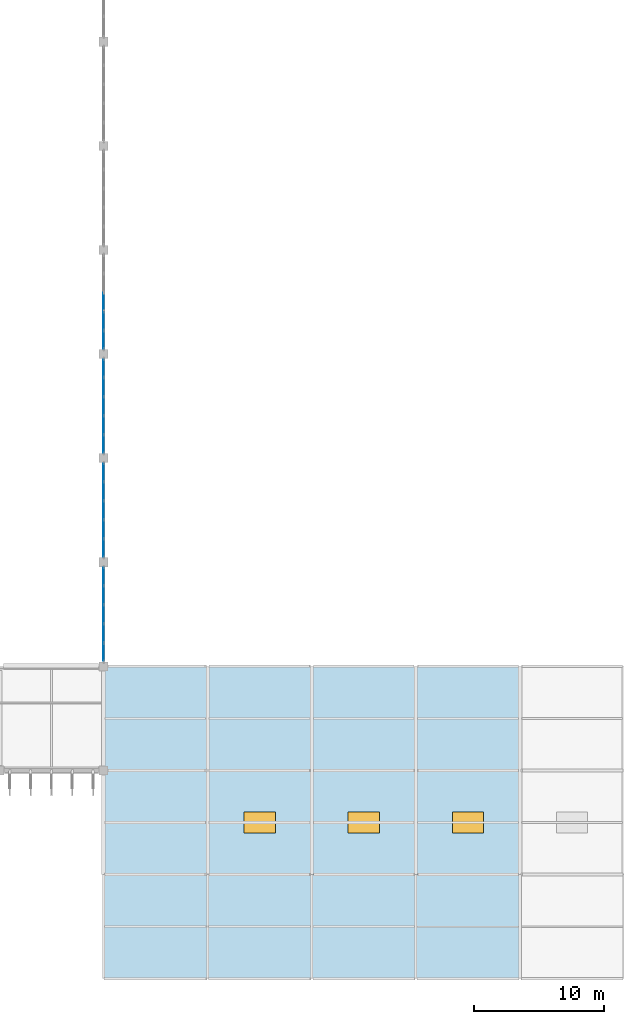
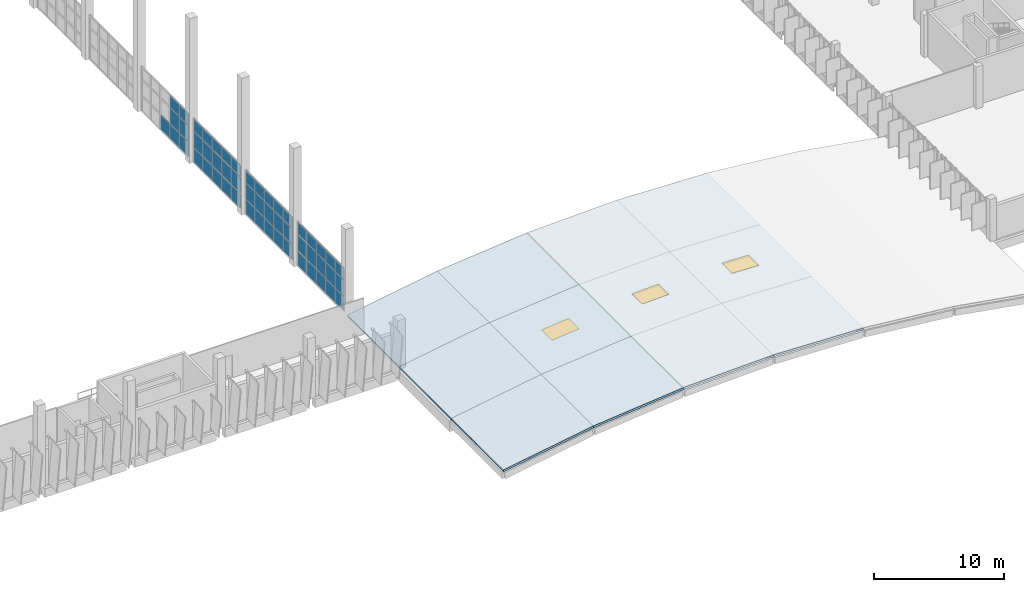
# One storey, part 37 of 66: 52 plates, 12 slabs, 3 windows, 3 openings, 4 elements without a shape of their own.
"""IFC4 building model written with IfcOpenShell, lengths in metres."""

import ifcopenshell
import ifcopenshell.guid

model = None  # the IFC model being written
_history = None  # IfcOwnerHistory: only IFC2X3 demands one
_inside = {}  # id of a spatial element -> (the spatial element, [elements in it])
_under = {}  # id of a project, library or spatial element -> (it, [spatial elements below it])
_declared = {}  # id of a project -> (the project, [libraries it declares])
_typed = {}  # id of a type object -> (the type object, [elements of that type])
_made_of = {}  # id of a material, layer set ... -> (it, [elements and type objects made of it])


def new_model(schema):
    """Start an empty IFC model of exactly this schema.

    Asked for "IFC4X3", IfcOpenShell would pick the latest addendum, in which some entities
    have other attributes; the version numbers below select the first issue.
    IFC2X3 requires an IfcOwnerHistory on every rooted entity: one is made here for all.
    """
    global model, _history
    if schema == "IFC4X3":
        model = ifcopenshell.file(schema_version=(4, 3, 0, 0))
    else:
        model = ifcopenshell.file(schema=schema)
    _inside.clear()
    _under.clear()
    _declared.clear()
    _typed.clear()
    _made_of.clear()
    _history = None
    if model.schema == "IFC2X3":
        org = make("IfcOrganization", Name="unknown")
        user = make(
            "IfcPersonAndOrganization",
            ThePerson=make("IfcPerson", FamilyName="unknown"),
            TheOrganization=org,
        )
        app = make(
            "IfcApplication",
            ApplicationDeveloper=org,
            Version="unknown",
            ApplicationFullName="unknown",
            ApplicationIdentifier="unknown",
        )
        _history = make(
            "IfcOwnerHistory",
            OwningUser=user,
            OwningApplication=app,
            ChangeAction="ADDED",
            CreationDate=0,
        )
    return model


def make(cls, **values):
    """One entity of the class cls with the attributes given. An attribute that is None is left unset."""
    return model.create_entity(
        cls, **{name: value for name, value in values.items() if value is not None}
    )


def rooted(cls, **values):
    """An entity with a GlobalId (a new one), such as an element, a storey or a relation."""
    return make(cls, GlobalId=ifcopenshell.guid.new(), OwnerHistory=_history, **values)


def si_unit(unit_type, name, prefix=None):
    """IfcSIUnit, for example si_unit("LENGTHUNIT", "METRE", prefix="MILLI")."""
    return make("IfcSIUnit", UnitType=unit_type, Prefix=prefix, Name=name)


def assignment(units):
    """IfcUnitAssignment: the units of a project."""
    return None if units is None else make("IfcUnitAssignment", Units=units)


def point(xyz):
    """IfcCartesianPoint."""
    return None if xyz is None else make("IfcCartesianPoint", Coordinates=xyz)


def direction(xyz):
    """IfcDirection."""
    return None if xyz is None else make("IfcDirection", DirectionRatios=xyz)


def frame(location, z_axis=None, x_axis=None):
    """IfcAxis2Placement3D, a coordinate frame: its origin and axes. An axis left out is left unset."""
    return make(
        "IfcAxis2Placement3D",
        Location=point(location),
        Axis=direction(z_axis),
        RefDirection=direction(x_axis),
    )


def frame_2d(location, x_axis=None):
    """IfcAxis2Placement2D, a coordinate frame in the plane: its origin and x axis."""
    return make(
        "IfcAxis2Placement2D", Location=point(location), RefDirection=direction(x_axis)
    )


def origin():
    """The frame at (0, 0, 0) with its axes left unset."""
    return frame((0.0, 0.0, 0.0))


def origin_2d():
    """The frame at (0, 0) in the plane with its x axis left unset."""
    return frame_2d((0.0, 0.0))


def place(relative_to, where):
    """IfcLocalPlacement: puts the frame where relative to a parent placement (None: the world)."""
    return make(
        "IfcLocalPlacement", PlacementRelTo=relative_to, RelativePlacement=where
    )


def context(
    kind, dimensions, precision=None, world=None, true_north=None, identifier=None
):
    """IfcGeometricRepresentationContext, for example the 3D "Model" context."""
    return make(
        "IfcGeometricRepresentationContext",
        ContextIdentifier=identifier,
        ContextType=kind,
        CoordinateSpaceDimension=dimensions,
        Precision=precision,
        WorldCoordinateSystem=world,
        TrueNorth=true_north,
    )


def subcontext(parent, identifier, kind, view, scale=None):
    """IfcGeometricRepresentationSubContext, for example "Body" below "Model"."""
    return make(
        "IfcGeometricRepresentationSubContext",
        ContextIdentifier=identifier,
        ContextType=kind,
        ParentContext=parent,
        TargetScale=scale,
        TargetView=view,
    )


def project(units=None, contexts=None):
    """IfcProject with its units and contexts."""
    return rooted(
        "IfcProject",
        Name="project",
        RepresentationContexts=contexts,
        UnitsInContext=assignment(units),
    )


def spatial(cls, under=None, at=None, **own):
    """A site, building, storey or space (cls), placed at a placement, below another one or the project."""
    s = rooted(cls, ObjectPlacement=at, **own)
    if under is not None:
        _under.setdefault(under.id(), (under, []))[1].append(s)
    return s


def polyline(points):
    """IfcPolyline through the points."""
    return make("IfcPolyline", Points=[point(p) for p in points])


def profile(cls, at=None, kind="AREA", **sizes):
    """A parametric profile (cls). Its sizes go by their IFC names, for example OverallWidth=200.0."""
    return make(cls, ProfileType=kind, Position=at, **sizes)


def rectangle(**sizes):
    """IfcRectangleProfileDef."""
    return profile("IfcRectangleProfileDef", **sizes)


def outline(outer, holes=None, kind="AREA"):
    """IfcArbitraryClosedProfileDef: a profile drawn as a closed curve; with holes, ...WithVoids."""
    if holes is None:
        return make("IfcArbitraryClosedProfileDef", ProfileType=kind, OuterCurve=outer)
    return make(
        "IfcArbitraryProfileDefWithVoids",
        ProfileType=kind,
        OuterCurve=outer,
        InnerCurves=holes,
    )


def extrude(swept, where, along, depth):
    """IfcExtrudedAreaSolid: the profile swept, set in the frame where, extruded along a direction by depth."""
    return make(
        "IfcExtrudedAreaSolid",
        SweptArea=swept,
        Position=where,
        ExtrudedDirection=direction(along),
        Depth=depth,
    )


def shape(context_of_items, identifier, shape_type, items):
    """IfcShapeRepresentation: the items that make up one representation, for example the "Body"."""
    return make(
        "IfcShapeRepresentation",
        ContextOfItems=context_of_items,
        RepresentationIdentifier=identifier,
        RepresentationType=shape_type,
        Items=items,
    )


def material(Name=None, Category=None):
    """IfcMaterial."""
    return make("IfcMaterial", Name=Name, Category=Category)


def layer(
    of_material, thickness, ventilated=None, Name=None, Category=None, Priority=None
):
    """IfcMaterialLayer: one layer of a wall or slab, of a material (None: an air gap)."""
    return make(
        "IfcMaterialLayer",
        Material=of_material,
        LayerThickness=thickness,
        IsVentilated=ventilated,
        Name=Name,
        Category=Category,
        Priority=Priority,
    )


def layer_set(layers, Name=None):
    """IfcMaterialLayerSet."""
    return make("IfcMaterialLayerSet", MaterialLayers=layers, LayerSetName=Name)


def made_of(thing, what):
    """Note that an element or type object is made of a material, layer set ...; save() writes the relation."""
    if what is not None:
        _made_of.setdefault(what.id(), (what, []))[1].append(thing)
    return thing


def type_object(cls, material=None, **own):
    """A type object (cls), such as IfcWallType, which elements share."""
    return made_of(rooted(cls, **own), material)


def element(
    cls,
    number,
    at=None,
    inside=None,
    cuts=None,
    type_object=None,
    material=None,
    context=None,
    identifier="Body",
    shape_type=None,
    held_by="IfcProductDefinitionShape",
    body=None,
    shapes=None,
    **own,
):
    """One element of the class cls, such as IfcWall. Its Tag is "e" and its number.

    at: its placement. inside: the storey or other place that contains it. cuts: it is an
    opening in that element (IfcRelVoidsElement). A single representation is given by context,
    identifier, shape_type and body (its items); several are given by shapes. held_by: the class
    of the entity that holds the representations. save() writes the other relations.
    """
    e = rooted(cls, Tag="e%d" % number, ObjectPlacement=at, **own)
    if body is not None:
        shapes = [shape(context, identifier, shape_type, body)]
    if shapes is not None:
        e.Representation = make(held_by, Representations=shapes)
    if inside is not None:
        _inside.setdefault(inside.id(), (inside, []))[1].append(e)
    if cuts is not None:
        rooted(
            "IfcRelVoidsElement", RelatingBuildingElement=cuts, RelatedOpeningElement=e
        )
    if type_object is not None:
        _typed.setdefault(type_object.id(), (type_object, []))[1].append(e)
    return made_of(e, material)


def fill(opening, filler):
    """IfcRelFillsElement: the door or window that sits in an opening."""
    return rooted(
        "IfcRelFillsElement",
        RelatingOpeningElement=opening,
        RelatedBuildingElement=filler,
    )


def aggregate(whole, parts):
    """IfcRelAggregates: a whole, such as a stair, and the parts it consists of."""
    return rooted("IfcRelAggregates", RelatingObject=whole, RelatedObjects=parts)


def save(model, path):
    """Write the relations noted so far, then the file.

    IfcRelAggregates (storeys below a building ...), IfcRelContainedInSpatialStructure (elements
    in a storey), IfcRelDefinesByType, IfcRelAssociatesMaterial and IfcRelDeclares: one each for
    every whole, place, type object, material and project.
    """
    for whole, parts in _under.values():
        aggregate(whole, parts)
    for where, things in _inside.values():
        rooted(
            "IfcRelContainedInSpatialStructure",
            RelatedElements=things,
            RelatingStructure=where,
        )
    for kind, things in _typed.values():
        rooted("IfcRelDefinesByType", RelatedObjects=things, RelatingType=kind)
    for what, things in _made_of.values():
        rooted("IfcRelAssociatesMaterial", RelatedObjects=things, RelatingMaterial=what)
    for by, libraries in _declared.values():
        rooted("IfcRelDeclares", RelatingContext=by, RelatedDefinitions=libraries)
    model.write(path)


model = new_model("IFC4")

# Units and contexts
model_context = context("Model", 3, precision=1e-05, world=origin(), true_north=direction((0.0, 1.0)))
body_context = subcontext(model_context, "Body", "Model", "MODEL_VIEW")
ifc_project = project(units=[si_unit("LENGTHUNIT", "METRE"), si_unit("AREAUNIT", "SQUARE_METRE"), si_unit("VOLUMEUNIT", "CUBIC_METRE"), si_unit("PLANEANGLEUNIT", "RADIAN"), si_unit("MASSUNIT", "GRAM", prefix="KILO")], contexts=[model_context])

# Site, building, storey
site_placement = place(None, origin())
site = spatial("IfcSite", under=ifc_project, at=site_placement, CompositionType="ELEMENT")
building_placement = place(site_placement, origin())
building = spatial("IfcBuilding", under=site, at=building_placement, Name="Drelvana Railside Aquatics Centre", CompositionType="ELEMENT")
storey_placement = place(building_placement, frame((0.0, 0.0, 10.199951171875)))
storey = spatial("IfcBuildingStorey", under=building, at=storey_placement, Name="L02", CompositionType="ELEMENT", Elevation=10.199951171875)

# Curtain wall, plates
ifc_material_1 = material(Name="Bronze-anodised aluminium curtain wall", Category="aluminium")
ifc_layer_1 = layer(ifc_material_1, 0.219970703125, Name="Bronze-anodised aluminium curtain wall")
ifc_layer_set_1 = layer_set([ifc_layer_1], Name="Bronze-anodised aluminium curtain wall")
curtain_wall_type = type_object("IfcCurtainWallType", Name="CW-Z3-HIGH", PredefinedType="NOTDEFINED", material=ifc_layer_set_1)
curtain_wall_1_placement = place(storey_placement, origin())
curtain_wall_1 = element("IfcCurtainWall", 1, at=curtain_wall_1_placement, inside=storey, type_object=curtain_wall_type, Name="Curtain wall CW-03-057", PredefinedType="NOTDEFINED")
ifc_material_2 = material(Name="Double-glazed low-e solar-control glass", Category="glass")
ifc_layer_2 = layer(ifc_material_2, 0.035888671875, Name="Double-glazed low-e solar-control glass")
ifc_layer_set_2 = layer_set([ifc_layer_2], Name="Double-glazed low-e solar-control glass")
plate_type = type_object("IfcPlateType", Name="CW-Z3-HIGH-PAN", PredefinedType="CURTAIN_PANEL", material=ifc_layer_set_2)
plate_1_placement = place(storey_placement, frame((96.0, 25.09521484375, 0.06396484375), z_axis=(0.0, 0.0, 1.0), x_axis=(0.0, 1.0, 0.0)))
plate_1 = element("IfcPlate", 2, at=plate_1_placement, type_object=plate_type, Name="CW-03 panel 1.1", PredefinedType="CURTAIN_PANEL", context=body_context, shape_type="SweptSolid", body=[
    extrude(rectangle(XDim=1.352294921875, YDim=0.035888671875, at=origin_2d()), origin(), (0.0, 0.0, 1.0), 1.366455078125),
])
plate_2_placement = place(storey_placement, frame((96.0, 25.09521484375, 1.49560546875), z_axis=(0.0, 0.0, 1.0), x_axis=(0.0, 1.0, 0.0)))
plate_2 = element("IfcPlate", 3, at=plate_2_placement, type_object=plate_type, Name="CW-03 panel 1.2", PredefinedType="CURTAIN_PANEL", context=body_context, shape_type="SweptSolid", body=[
    extrude(rectangle(XDim=1.352294921875, YDim=0.035888671875, at=origin_2d()), origin(), (0.0, 0.0, 1.0), 1.487060546875),
])
plate_3_placement = place(storey_placement, frame((96.0, 25.09521484375, 3.04736328125), z_axis=(0.0, 0.0, 1.0), x_axis=(0.0, 1.0, 0.0)))
plate_3 = element("IfcPlate", 4, at=plate_3_placement, type_object=plate_type, Name="CW-03 panel 1.3", PredefinedType="CURTAIN_PANEL", context=body_context, shape_type="SweptSolid", body=[
    extrude(rectangle(XDim=1.352294921875, YDim=0.035888671875, at=origin_2d()), origin(), (0.0, 0.0, 1.0), 1.072509765625),
])
plate_4_placement = place(storey_placement, frame((96.0, 26.53759765625, 0.06396484375), z_axis=(0.0, 0.0, 1.0), x_axis=(0.0, 1.0, 0.0)))
plate_4 = element("IfcPlate", 5, at=plate_4_placement, type_object=plate_type, Name="CW-03 panel 2.1", PredefinedType="CURTAIN_PANEL", context=body_context, shape_type="SweptSolid", body=[
    extrude(rectangle(XDim=1.392333984375, YDim=0.035888671875, at=origin_2d()), origin(), (0.0, 0.0, 1.0), 1.366455078125),
])
plate_5_placement = place(storey_placement, frame((96.0, 26.53759765625, 1.49560546875), z_axis=(0.0, 0.0, 1.0), x_axis=(0.0, 1.0, 0.0)))
plate_5 = element("IfcPlate", 6, at=plate_5_placement, type_object=plate_type, Name="CW-03 panel 2.2", PredefinedType="CURTAIN_PANEL", context=body_context, shape_type="SweptSolid", body=[
    extrude(rectangle(XDim=1.392333984375, YDim=0.035888671875, at=origin_2d()), origin(), (0.0, 0.0, 1.0), 1.487060546875),
])
plate_6_placement = place(storey_placement, frame((96.0, 26.53759765625, 3.04736328125), z_axis=(0.0, 0.0, 1.0), x_axis=(0.0, 1.0, 0.0)))
plate_6 = element("IfcPlate", 7, at=plate_6_placement, type_object=plate_type, Name="CW-03 panel 2.3", PredefinedType="CURTAIN_PANEL", context=body_context, shape_type="SweptSolid", body=[
    extrude(rectangle(XDim=1.392333984375, YDim=0.035888671875, at=origin_2d()), origin(), (0.0, 0.0, 1.0), 1.072509765625),
])
plate_7_placement = place(storey_placement, frame((96.0, 28.0, 0.06396484375), z_axis=(0.0, 0.0, 1.0), x_axis=(0.0, 1.0, 0.0)))
plate_7 = element("IfcPlate", 8, at=plate_7_placement, type_object=plate_type, Name="CW-03 panel 3.1", PredefinedType="CURTAIN_PANEL", context=body_context, shape_type="SweptSolid", body=[
    extrude(rectangle(XDim=1.392333984375, YDim=0.035888671875, at=origin_2d()), origin(), (0.0, 0.0, 1.0), 1.366455078125),
])
plate_8_placement = place(storey_placement, frame((96.0, 28.0, 1.49560546875), z_axis=(0.0, 0.0, 1.0), x_axis=(0.0, 1.0, 0.0)))
plate_8 = element("IfcPlate", 9, at=plate_8_placement, type_object=plate_type, Name="CW-03 panel 3.2", PredefinedType="CURTAIN_PANEL", context=body_context, shape_type="SweptSolid", body=[
    extrude(rectangle(XDim=1.392333984375, YDim=0.035888671875, at=origin_2d()), origin(), (0.0, 0.0, 1.0), 1.487060546875),
])
plate_9_placement = place(storey_placement, frame((96.0, 28.0, 3.04736328125), z_axis=(0.0, 0.0, 1.0), x_axis=(0.0, 1.0, 0.0)))
plate_9 = element("IfcPlate", 10, at=plate_9_placement, type_object=plate_type, Name="CW-03 panel 3.3", PredefinedType="CURTAIN_PANEL", context=body_context, shape_type="SweptSolid", body=[
    extrude(rectangle(XDim=1.392333984375, YDim=0.035888671875, at=origin_2d()), origin(), (0.0, 0.0, 1.0), 1.072509765625),
])
plate_10_placement = place(storey_placement, frame((96.0, 29.46240234375, 0.06396484375), z_axis=(0.0, 0.0, 1.0), x_axis=(0.0, 1.0, 0.0)))
plate_10 = element("IfcPlate", 11, at=plate_10_placement, type_object=plate_type, Name="CW-03 panel 4.1", PredefinedType="CURTAIN_PANEL", context=body_context, shape_type="SweptSolid", body=[
    extrude(rectangle(XDim=1.392333984375, YDim=0.035888671875, at=origin_2d()), origin(), (0.0, 0.0, 1.0), 1.366455078125),
])
plate_11_placement = place(storey_placement, frame((96.0, 29.46240234375, 1.49560546875), z_axis=(0.0, 0.0, 1.0), x_axis=(0.0, 1.0, 0.0)))
plate_11 = element("IfcPlate", 12, at=plate_11_placement, type_object=plate_type, Name="CW-03 panel 4.2", PredefinedType="CURTAIN_PANEL", context=body_context, shape_type="SweptSolid", body=[
    extrude(rectangle(XDim=1.392333984375, YDim=0.035888671875, at=origin_2d()), origin(), (0.0, 0.0, 1.0), 1.487060546875),
])
plate_12_placement = place(storey_placement, frame((96.0, 29.46240234375, 3.04736328125), z_axis=(0.0, 0.0, 1.0), x_axis=(0.0, 1.0, 0.0)))
plate_12 = element("IfcPlate", 13, at=plate_12_placement, type_object=plate_type, Name="CW-03 panel 4.3", PredefinedType="CURTAIN_PANEL", context=body_context, shape_type="SweptSolid", body=[
    extrude(rectangle(XDim=1.392333984375, YDim=0.035888671875, at=origin_2d()), origin(), (0.0, 0.0, 1.0), 1.072509765625),
])
plate_13_placement = place(storey_placement, frame((96.0, 30.90478515625, 0.06396484375), z_axis=(0.0, 0.0, 1.0), x_axis=(0.0, 1.0, 0.0)))
plate_13 = element("IfcPlate", 14, at=plate_13_placement, type_object=plate_type, Name="CW-03 panel 5.1", PredefinedType="CURTAIN_PANEL", context=body_context, shape_type="SweptSolid", body=[
    extrude(rectangle(XDim=1.352294921875, YDim=0.035888671875, at=origin_2d()), origin(), (0.0, 0.0, 1.0), 1.366455078125),
])
plate_14_placement = place(storey_placement, frame((96.0, 30.90478515625, 1.49560546875), z_axis=(0.0, 0.0, 1.0), x_axis=(0.0, 1.0, 0.0)))
plate_14 = element("IfcPlate", 15, at=plate_14_placement, type_object=plate_type, Name="CW-03 panel 5.2", PredefinedType="CURTAIN_PANEL", context=body_context, shape_type="SweptSolid", body=[
    extrude(rectangle(XDim=1.352294921875, YDim=0.035888671875, at=origin_2d()), origin(), (0.0, 0.0, 1.0), 1.487060546875),
])
plate_15_placement = place(storey_placement, frame((96.0, 30.90478515625, 3.04736328125), z_axis=(0.0, 0.0, 1.0), x_axis=(0.0, 1.0, 0.0)))
plate_15 = element("IfcPlate", 16, at=plate_15_placement, type_object=plate_type, Name="CW-03 panel 5.3", PredefinedType="CURTAIN_PANEL", context=body_context, shape_type="SweptSolid", body=[
    extrude(rectangle(XDim=1.352294921875, YDim=0.035888671875, at=origin_2d()), origin(), (0.0, 0.0, 1.0), 1.072509765625),
])
aggregate(curtain_wall_1, [plate_1, plate_2, plate_3, plate_4, plate_5, plate_6, plate_7, plate_8, plate_9, plate_10, plate_11, plate_12, plate_13, plate_14, plate_15])

curtain_wall_2_placement = place(storey_placement, origin())
curtain_wall_2 = element("IfcCurtainWall", 17, at=curtain_wall_2_placement, inside=storey, type_object=curtain_wall_type, Name="Curtain wall CW-03-061", PredefinedType="NOTDEFINED")
plate_16_placement = place(storey_placement, frame((96.0, 33.09521484375, 0.06396484375), z_axis=(0.0, 0.0, 1.0), x_axis=(0.0, 1.0, 0.0)))
plate_16 = element("IfcPlate", 18, at=plate_16_placement, type_object=plate_type, Name="CW-03 panel 1.1", PredefinedType="CURTAIN_PANEL", context=body_context, shape_type="SweptSolid", body=[
    extrude(rectangle(XDim=1.352294921875, YDim=0.035888671875, at=origin_2d()), origin(), (0.0, 0.0, 1.0), 1.366455078125),
])
plate_17_placement = place(storey_placement, frame((96.0, 33.09521484375, 1.49560546875), z_axis=(0.0, 0.0, 1.0), x_axis=(0.0, 1.0, 0.0)))
plate_17 = element("IfcPlate", 19, at=plate_17_placement, type_object=plate_type, Name="CW-03 panel 1.2", PredefinedType="CURTAIN_PANEL", context=body_context, shape_type="SweptSolid", body=[
    extrude(rectangle(XDim=1.352294921875, YDim=0.035888671875, at=origin_2d()), origin(), (0.0, 0.0, 1.0), 1.487060546875),
])
plate_18_placement = place(storey_placement, frame((96.0, 33.09521484375, 3.04736328125), z_axis=(0.0, 0.0, 1.0), x_axis=(0.0, 1.0, 0.0)))
plate_18 = element("IfcPlate", 20, at=plate_18_placement, type_object=plate_type, Name="CW-03 panel 1.3", PredefinedType="CURTAIN_PANEL", context=body_context, shape_type="SweptSolid", body=[
    extrude(rectangle(XDim=1.352294921875, YDim=0.035888671875, at=origin_2d()), origin(), (0.0, 0.0, 1.0), 1.072509765625),
])
plate_19_placement = place(storey_placement, frame((96.0, 34.53759765625, 0.06396484375), z_axis=(0.0, 0.0, 1.0), x_axis=(0.0, 1.0, 0.0)))
plate_19 = element("IfcPlate", 21, at=plate_19_placement, type_object=plate_type, Name="CW-03 panel 2.1", PredefinedType="CURTAIN_PANEL", context=body_context, shape_type="SweptSolid", body=[
    extrude(rectangle(XDim=1.392333984375, YDim=0.035888671875, at=origin_2d()), origin(), (0.0, 0.0, 1.0), 1.366455078125),
])
plate_20_placement = place(storey_placement, frame((96.0, 34.53759765625, 1.49560546875), z_axis=(0.0, 0.0, 1.0), x_axis=(0.0, 1.0, 0.0)))
plate_20 = element("IfcPlate", 22, at=plate_20_placement, type_object=plate_type, Name="CW-03 panel 2.2", PredefinedType="CURTAIN_PANEL", context=body_context, shape_type="SweptSolid", body=[
    extrude(rectangle(XDim=1.392333984375, YDim=0.035888671875, at=origin_2d()), origin(), (0.0, 0.0, 1.0), 1.487060546875),
])
plate_21_placement = place(storey_placement, frame((96.0, 34.53759765625, 3.04736328125), z_axis=(0.0, 0.0, 1.0), x_axis=(0.0, 1.0, 0.0)))
plate_21 = element("IfcPlate", 23, at=plate_21_placement, type_object=plate_type, Name="CW-03 panel 2.3", PredefinedType="CURTAIN_PANEL", context=body_context, shape_type="SweptSolid", body=[
    extrude(rectangle(XDim=1.392333984375, YDim=0.035888671875, at=origin_2d()), origin(), (0.0, 0.0, 1.0), 1.072509765625),
])
plate_22_placement = place(storey_placement, frame((96.0, 36.0, 0.06396484375), z_axis=(0.0, 0.0, 1.0), x_axis=(0.0, 1.0, 0.0)))
plate_22 = element("IfcPlate", 24, at=plate_22_placement, type_object=plate_type, Name="CW-03 panel 3.1", PredefinedType="CURTAIN_PANEL", context=body_context, shape_type="SweptSolid", body=[
    extrude(rectangle(XDim=1.392333984375, YDim=0.035888671875, at=origin_2d()), origin(), (0.0, 0.0, 1.0), 1.366455078125),
])
plate_23_placement = place(storey_placement, frame((96.0, 36.0, 1.49560546875), z_axis=(0.0, 0.0, 1.0), x_axis=(0.0, 1.0, 0.0)))
plate_23 = element("IfcPlate", 25, at=plate_23_placement, type_object=plate_type, Name="CW-03 panel 3.2", PredefinedType="CURTAIN_PANEL", context=body_context, shape_type="SweptSolid", body=[
    extrude(rectangle(XDim=1.392333984375, YDim=0.035888671875, at=origin_2d()), origin(), (0.0, 0.0, 1.0), 1.487060546875),
])
plate_24_placement = place(storey_placement, frame((96.0, 36.0, 3.04736328125), z_axis=(0.0, 0.0, 1.0), x_axis=(0.0, 1.0, 0.0)))
plate_24 = element("IfcPlate", 26, at=plate_24_placement, type_object=plate_type, Name="CW-03 panel 3.3", PredefinedType="CURTAIN_PANEL", context=body_context, shape_type="SweptSolid", body=[
    extrude(rectangle(XDim=1.392333984375, YDim=0.035888671875, at=origin_2d()), origin(), (0.0, 0.0, 1.0), 1.072509765625),
])
plate_25_placement = place(storey_placement, frame((96.0, 37.46240234375, 0.06396484375), z_axis=(0.0, 0.0, 1.0), x_axis=(0.0, 1.0, 0.0)))
plate_25 = element("IfcPlate", 27, at=plate_25_placement, type_object=plate_type, Name="CW-03 panel 4.1", PredefinedType="CURTAIN_PANEL", context=body_context, shape_type="SweptSolid", body=[
    extrude(rectangle(XDim=1.392333984375, YDim=0.035888671875, at=origin_2d()), origin(), (0.0, 0.0, 1.0), 1.366455078125),
])
plate_26_placement = place(storey_placement, frame((96.0, 37.46240234375, 1.49560546875), z_axis=(0.0, 0.0, 1.0), x_axis=(0.0, 1.0, 0.0)))
plate_26 = element("IfcPlate", 28, at=plate_26_placement, type_object=plate_type, Name="CW-03 panel 4.2", PredefinedType="CURTAIN_PANEL", context=body_context, shape_type="SweptSolid", body=[
    extrude(rectangle(XDim=1.392333984375, YDim=0.035888671875, at=origin_2d()), origin(), (0.0, 0.0, 1.0), 1.487060546875),
])
plate_27_placement = place(storey_placement, frame((96.0, 37.46240234375, 3.04736328125), z_axis=(0.0, 0.0, 1.0), x_axis=(0.0, 1.0, 0.0)))
plate_27 = element("IfcPlate", 29, at=plate_27_placement, type_object=plate_type, Name="CW-03 panel 4.3", PredefinedType="CURTAIN_PANEL", context=body_context, shape_type="SweptSolid", body=[
    extrude(rectangle(XDim=1.392333984375, YDim=0.035888671875, at=origin_2d()), origin(), (0.0, 0.0, 1.0), 1.072509765625),
])
plate_28_placement = place(storey_placement, frame((96.0, 38.90478515625, 0.06396484375), z_axis=(0.0, 0.0, 1.0), x_axis=(0.0, 1.0, 0.0)))
plate_28 = element("IfcPlate", 30, at=plate_28_placement, type_object=plate_type, Name="CW-03 panel 5.1", PredefinedType="CURTAIN_PANEL", context=body_context, shape_type="SweptSolid", body=[
    extrude(rectangle(XDim=1.352294921875, YDim=0.035888671875, at=origin_2d()), origin(), (0.0, 0.0, 1.0), 1.366455078125),
])
plate_29_placement = place(storey_placement, frame((96.0, 38.90478515625, 1.49560546875), z_axis=(0.0, 0.0, 1.0), x_axis=(0.0, 1.0, 0.0)))
plate_29 = element("IfcPlate", 31, at=plate_29_placement, type_object=plate_type, Name="CW-03 panel 5.2", PredefinedType="CURTAIN_PANEL", context=body_context, shape_type="SweptSolid", body=[
    extrude(rectangle(XDim=1.352294921875, YDim=0.035888671875, at=origin_2d()), origin(), (0.0, 0.0, 1.0), 1.487060546875),
])
plate_30_placement = place(storey_placement, frame((96.0, 38.90478515625, 3.04736328125), z_axis=(0.0, 0.0, 1.0), x_axis=(0.0, 1.0, 0.0)))
plate_30 = element("IfcPlate", 32, at=plate_30_placement, type_object=plate_type, Name="CW-03 panel 5.3", PredefinedType="CURTAIN_PANEL", context=body_context, shape_type="SweptSolid", body=[
    extrude(rectangle(XDim=1.352294921875, YDim=0.035888671875, at=origin_2d()), origin(), (0.0, 0.0, 1.0), 1.072509765625),
])
aggregate(curtain_wall_2, [plate_16, plate_17, plate_18, plate_19, plate_20, plate_21, plate_22, plate_23, plate_24, plate_25, plate_26, plate_27, plate_28, plate_29, plate_30])

curtain_wall_3_placement = place(storey_placement, origin())
curtain_wall_3 = element("IfcCurtainWall", 33, at=curtain_wall_3_placement, inside=storey, type_object=curtain_wall_type, Name="Curtain wall CW-03-065", PredefinedType="NOTDEFINED")
plate_31_placement = place(storey_placement, frame((96.0, 41.09521484375, 0.06396484375), z_axis=(0.0, 0.0, 1.0), x_axis=(0.0, 1.0, 0.0)))
plate_31 = element("IfcPlate", 34, at=plate_31_placement, type_object=plate_type, Name="CW-03 panel 1.1", PredefinedType="CURTAIN_PANEL", context=body_context, shape_type="SweptSolid", body=[
    extrude(rectangle(XDim=1.352294921875, YDim=0.035888671875, at=origin_2d()), origin(), (0.0, 0.0, 1.0), 1.366455078125),
])
plate_32_placement = place(storey_placement, frame((96.0, 41.09521484375, 1.49560546875), z_axis=(0.0, 0.0, 1.0), x_axis=(0.0, 1.0, 0.0)))
plate_32 = element("IfcPlate", 35, at=plate_32_placement, type_object=plate_type, Name="CW-03 panel 1.2", PredefinedType="CURTAIN_PANEL", context=body_context, shape_type="SweptSolid", body=[
    extrude(rectangle(XDim=1.352294921875, YDim=0.035888671875, at=origin_2d()), origin(), (0.0, 0.0, 1.0), 1.487060546875),
])
plate_33_placement = place(storey_placement, frame((96.0, 41.09521484375, 3.04736328125), z_axis=(0.0, 0.0, 1.0), x_axis=(0.0, 1.0, 0.0)))
plate_33 = element("IfcPlate", 36, at=plate_33_placement, type_object=plate_type, Name="CW-03 panel 1.3", PredefinedType="CURTAIN_PANEL", context=body_context, shape_type="SweptSolid", body=[
    extrude(rectangle(XDim=1.352294921875, YDim=0.035888671875, at=origin_2d()), origin(), (0.0, 0.0, 1.0), 1.072509765625),
])
plate_34_placement = place(storey_placement, frame((96.0, 42.53759765625, 0.06396484375), z_axis=(0.0, 0.0, 1.0), x_axis=(0.0, 1.0, 0.0)))
plate_34 = element("IfcPlate", 37, at=plate_34_placement, type_object=plate_type, Name="CW-03 panel 2.1", PredefinedType="CURTAIN_PANEL", context=body_context, shape_type="SweptSolid", body=[
    extrude(rectangle(XDim=1.392333984375, YDim=0.035888671875, at=origin_2d()), origin(), (0.0, 0.0, 1.0), 1.366455078125),
])
plate_35_placement = place(storey_placement, frame((96.0, 42.53759765625, 1.49560546875), z_axis=(0.0, 0.0, 1.0), x_axis=(0.0, 1.0, 0.0)))
plate_35 = element("IfcPlate", 38, at=plate_35_placement, type_object=plate_type, Name="CW-03 panel 2.2", PredefinedType="CURTAIN_PANEL", context=body_context, shape_type="SweptSolid", body=[
    extrude(rectangle(XDim=1.392333984375, YDim=0.035888671875, at=origin_2d()), origin(), (0.0, 0.0, 1.0), 1.487060546875),
])
plate_36_placement = place(storey_placement, frame((96.0, 42.53759765625, 3.04736328125), z_axis=(0.0, 0.0, 1.0), x_axis=(0.0, 1.0, 0.0)))
plate_36 = element("IfcPlate", 39, at=plate_36_placement, type_object=plate_type, Name="CW-03 panel 2.3", PredefinedType="CURTAIN_PANEL", context=body_context, shape_type="SweptSolid", body=[
    extrude(rectangle(XDim=1.392333984375, YDim=0.035888671875, at=origin_2d()), origin(), (0.0, 0.0, 1.0), 1.072509765625),
])
plate_37_placement = place(storey_placement, frame((96.0, 44.0, 0.06396484375), z_axis=(0.0, 0.0, 1.0), x_axis=(0.0, 1.0, 0.0)))
plate_37 = element("IfcPlate", 40, at=plate_37_placement, type_object=plate_type, Name="CW-03 panel 3.1", PredefinedType="CURTAIN_PANEL", context=body_context, shape_type="SweptSolid", body=[
    extrude(rectangle(XDim=1.392333984375, YDim=0.035888671875, at=origin_2d()), origin(), (0.0, 0.0, 1.0), 1.366455078125),
])
plate_38_placement = place(storey_placement, frame((96.0, 44.0, 1.49560546875), z_axis=(0.0, 0.0, 1.0), x_axis=(0.0, 1.0, 0.0)))
plate_38 = element("IfcPlate", 41, at=plate_38_placement, type_object=plate_type, Name="CW-03 panel 3.2", PredefinedType="CURTAIN_PANEL", context=body_context, shape_type="SweptSolid", body=[
    extrude(rectangle(XDim=1.392333984375, YDim=0.035888671875, at=origin_2d()), origin(), (0.0, 0.0, 1.0), 1.487060546875),
])
plate_39_placement = place(storey_placement, frame((96.0, 44.0, 3.04736328125), z_axis=(0.0, 0.0, 1.0), x_axis=(0.0, 1.0, 0.0)))
plate_39 = element("IfcPlate", 42, at=plate_39_placement, type_object=plate_type, Name="CW-03 panel 3.3", PredefinedType="CURTAIN_PANEL", context=body_context, shape_type="SweptSolid", body=[
    extrude(rectangle(XDim=1.392333984375, YDim=0.035888671875, at=origin_2d()), origin(), (0.0, 0.0, 1.0), 1.072509765625),
])
plate_40_placement = place(storey_placement, frame((96.0, 45.46240234375, 0.06396484375), z_axis=(0.0, 0.0, 1.0), x_axis=(0.0, 1.0, 0.0)))
plate_40 = element("IfcPlate", 43, at=plate_40_placement, type_object=plate_type, Name="CW-03 panel 4.1", PredefinedType="CURTAIN_PANEL", context=body_context, shape_type="SweptSolid", body=[
    extrude(rectangle(XDim=1.392333984375, YDim=0.035888671875, at=origin_2d()), origin(), (0.0, 0.0, 1.0), 1.366455078125),
])
plate_41_placement = place(storey_placement, frame((96.0, 45.46240234375, 1.49560546875), z_axis=(0.0, 0.0, 1.0), x_axis=(0.0, 1.0, 0.0)))
plate_41 = element("IfcPlate", 44, at=plate_41_placement, type_object=plate_type, Name="CW-03 panel 4.2", PredefinedType="CURTAIN_PANEL", context=body_context, shape_type="SweptSolid", body=[
    extrude(rectangle(XDim=1.392333984375, YDim=0.035888671875, at=origin_2d()), origin(), (0.0, 0.0, 1.0), 1.487060546875),
])
plate_42_placement = place(storey_placement, frame((96.0, 45.46240234375, 3.04736328125), z_axis=(0.0, 0.0, 1.0), x_axis=(0.0, 1.0, 0.0)))
plate_42 = element("IfcPlate", 45, at=plate_42_placement, type_object=plate_type, Name="CW-03 panel 4.3", PredefinedType="CURTAIN_PANEL", context=body_context, shape_type="SweptSolid", body=[
    extrude(rectangle(XDim=1.392333984375, YDim=0.035888671875, at=origin_2d()), origin(), (0.0, 0.0, 1.0), 1.072509765625),
])
plate_43_placement = place(storey_placement, frame((96.0, 46.90478515625, 0.06396484375), z_axis=(0.0, 0.0, 1.0), x_axis=(0.0, 1.0, 0.0)))
plate_43 = element("IfcPlate", 46, at=plate_43_placement, type_object=plate_type, Name="CW-03 panel 5.1", PredefinedType="CURTAIN_PANEL", context=body_context, shape_type="SweptSolid", body=[
    extrude(rectangle(XDim=1.352294921875, YDim=0.035888671875, at=origin_2d()), origin(), (0.0, 0.0, 1.0), 1.366455078125),
])
plate_44_placement = place(storey_placement, frame((96.0, 46.90478515625, 1.49560546875), z_axis=(0.0, 0.0, 1.0), x_axis=(0.0, 1.0, 0.0)))
plate_44 = element("IfcPlate", 47, at=plate_44_placement, type_object=plate_type, Name="CW-03 panel 5.2", PredefinedType="CURTAIN_PANEL", context=body_context, shape_type="SweptSolid", body=[
    extrude(rectangle(XDim=1.352294921875, YDim=0.035888671875, at=origin_2d()), origin(), (0.0, 0.0, 1.0), 1.487060546875),
])
plate_45_placement = place(storey_placement, frame((96.0, 46.90478515625, 3.04736328125), z_axis=(0.0, 0.0, 1.0), x_axis=(0.0, 1.0, 0.0)))
plate_45 = element("IfcPlate", 48, at=plate_45_placement, type_object=plate_type, Name="CW-03 panel 5.3", PredefinedType="CURTAIN_PANEL", context=body_context, shape_type="SweptSolid", body=[
    extrude(rectangle(XDim=1.352294921875, YDim=0.035888671875, at=origin_2d()), origin(), (0.0, 0.0, 1.0), 1.072509765625),
])
aggregate(curtain_wall_3, [plate_31, plate_32, plate_33, plate_34, plate_35, plate_36, plate_37, plate_38, plate_39, plate_40, plate_41, plate_42, plate_43, plate_44, plate_45])

curtain_wall_4_placement = place(storey_placement, origin())
curtain_wall_4 = element("IfcCurtainWall", 49, at=curtain_wall_4_placement, inside=storey, type_object=curtain_wall_type, Name="Curtain wall CW-03-068", PredefinedType="NOTDEFINED")
plate_46_placement = place(storey_placement, frame((96.0, 49.09521484375, 0.06396484375), z_axis=(0.0, 0.0, 1.0), x_axis=(0.0, 1.0, 0.0)))
plate_46 = element("IfcPlate", 50, at=plate_46_placement, type_object=plate_type, Name="CW-03 panel 1.1", PredefinedType="CURTAIN_PANEL", context=body_context, shape_type="SweptSolid", body=[
    extrude(rectangle(XDim=1.352294921875, YDim=0.035888671875, at=origin_2d()), origin(), (0.0, 0.0, 1.0), 1.366455078125),
])
plate_47_placement = place(storey_placement, frame((96.0, 49.09521484375, 1.49560546875), z_axis=(0.0, 0.0, 1.0), x_axis=(0.0, 1.0, 0.0)))
plate_47 = element("IfcPlate", 51, at=plate_47_placement, type_object=plate_type, Name="CW-03 panel 1.2", PredefinedType="CURTAIN_PANEL", context=body_context, shape_type="SweptSolid", body=[
    extrude(rectangle(XDim=1.352294921875, YDim=0.035888671875, at=origin_2d()), origin(), (0.0, 0.0, 1.0), 1.487060546875),
])
plate_48_placement = place(storey_placement, frame((96.0, 49.09521484375, 3.04736328125), z_axis=(0.0, 0.0, 1.0), x_axis=(0.0, 1.0, 0.0)))
plate_48 = element("IfcPlate", 52, at=plate_48_placement, type_object=plate_type, Name="CW-03 panel 1.3", PredefinedType="CURTAIN_PANEL", context=body_context, shape_type="SweptSolid", body=[
    extrude(rectangle(XDim=1.352294921875, YDim=0.035888671875, at=origin_2d()), origin(), (0.0, 0.0, 1.0), 1.072509765625),
])
plate_49_placement = place(storey_placement, frame((96.0, 50.53759765625, 0.06396484375), z_axis=(0.0, 0.0, 1.0), x_axis=(0.0, 1.0, 0.0)))
plate_49 = element("IfcPlate", 53, at=plate_49_placement, type_object=plate_type, Name="CW-03 panel 2.1", PredefinedType="CURTAIN_PANEL", context=body_context, shape_type="SweptSolid", body=[
    extrude(rectangle(XDim=1.392333984375, YDim=0.035888671875, at=origin_2d()), origin(), (0.0, 0.0, 1.0), 1.366455078125),
])
plate_50_placement = place(storey_placement, frame((96.0, 50.53759765625, 1.49560546875), z_axis=(0.0, 0.0, 1.0), x_axis=(0.0, 1.0, 0.0)))
plate_50 = element("IfcPlate", 54, at=plate_50_placement, type_object=plate_type, Name="CW-03 panel 2.2", PredefinedType="CURTAIN_PANEL", context=body_context, shape_type="SweptSolid", body=[
    extrude(rectangle(XDim=1.392333984375, YDim=0.035888671875, at=origin_2d()), origin(), (0.0, 0.0, 1.0), 1.487060546875),
])
plate_51_placement = place(storey_placement, frame((96.0, 50.53759765625, 3.04736328125), z_axis=(0.0, 0.0, 1.0), x_axis=(0.0, 1.0, 0.0)))
plate_51 = element("IfcPlate", 55, at=plate_51_placement, type_object=plate_type, Name="CW-03 panel 2.3", PredefinedType="CURTAIN_PANEL", context=body_context, shape_type="SweptSolid", body=[
    extrude(rectangle(XDim=1.392333984375, YDim=0.035888671875, at=origin_2d()), origin(), (0.0, 0.0, 1.0), 1.072509765625),
])
plate_52_placement = place(storey_placement, frame((96.0, 52.0, 0.06396484375), z_axis=(0.0, 0.0, 1.0), x_axis=(0.0, 1.0, 0.0)))
plate_52 = element("IfcPlate", 56, at=plate_52_placement, type_object=plate_type, Name="CW-03 panel 3.1", PredefinedType="CURTAIN_PANEL", context=body_context, shape_type="SweptSolid", body=[
    extrude(rectangle(XDim=1.392333984375, YDim=0.035888671875, at=origin_2d()), origin(), (0.0, 0.0, 1.0), 1.366455078125),
])
aggregate(curtain_wall_4, [plate_46, plate_47, plate_48, plate_49, plate_50, plate_51, plate_52])

# Slabs
ifc_material_3 = material(Name="Concrete C40/50", Category="concrete")
ifc_layer_3 = layer(ifc_material_3, 0.18994140625, Name="Concrete C40/50")
ifc_layer_set_3 = layer_set([ifc_layer_3], Name="Concrete C40/50")
slab_type = type_object("IfcSlabType", Name="SL-RF-190", PredefinedType="ROOF", material=ifc_layer_set_3)
for number, where, z_axis, x_axis, name in (
    (57, (96.0, 0.0, 0.0), (-0.16441851306, 0.0, 0.986390669341), (0.986390669341, 0.0, 0.16441851306), "Entrance Foyer Catalan vault slab 1.1"),
    (58, (96.0, 8.0, 0.0), (-0.16441851306, 0.0, 0.986390669341), (0.986390669341, 0.0, 0.16441851306), "Entrance Foyer Catalan vault slab 1.2"),
    (59, (96.0, 16.0, 0.0), (-0.16441851306, 0.0, 0.986390669341), (0.986390669341, 0.0, 0.16441851306), "Entrance Foyer Catalan vault slab 1.3"),
):
    element("IfcSlab", number, at=place(storey_placement, frame(where, z_axis=z_axis, x_axis=x_axis)), inside=storey, type_object=slab_type, Name=name, PredefinedType="ROOF", context=body_context, shape_type="SweptSolid", body=[
        extrude(outline(polyline([(0.0, 0.0), (8.110376799634313, 0.0), (8.110376799634313, 8.0), (0.0, 8.0), (0.0, 0.0)])), origin(), (0.0, 0.0, -1.0), 0.18994140625),
    ])
slab_1_placement = place(storey_placement, frame((104.0, 0.0, 1.33349609375), z_axis=(-0.099479666557, 0.0, 0.995039595163), x_axis=(0.995039595163, 0.0, 0.099479666557)))
element("IfcSlab", 60, at=slab_1_placement, inside=storey, type_object=slab_type, Name="Entrance Foyer Catalan vault slab 2.1", PredefinedType="ROOF", context=body_context, shape_type="SweptSolid", body=[
    extrude(outline(polyline([(0.0, 0.0), (8.039881064925462, 0.0), (8.039881064925462, 7.999999999999999), (0.0, 7.999999999999999), (0.0, 0.0)])), origin(), (0.0, 0.0, -1.0), 0.18994140625),
])

# Slab, opening, window
slab_2_placement = place(storey_placement, frame((104.0, 8.0, 1.33349609375), z_axis=(-0.099479666557, 0.0, 0.995039595163), x_axis=(0.995039595163, 0.0, 0.099479666557)))
slab_2 = element("IfcSlab", 61, at=slab_2_placement, inside=storey, type_object=slab_type, Name="Entrance Foyer Catalan vault slab 2.2", PredefinedType="ROOF", context=body_context, shape_type="SweptSolid", body=[
    extrude(outline(polyline([(0.0, 0.0), (8.039881064925462, 0.0), (8.039881064925462, 7.999999999999999), (0.0, 7.999999999999999), (0.0, 0.0)])), origin(), (0.0, 0.0, -1.0), 0.18994140625),
])
opening_1_placement = place(slab_2_placement, frame((4.02001953125, 4.0, 0.010009765625)))
opening_1 = element("IfcOpeningElement", 62, at=opening_1_placement, cuts=slab_2, Name="Opening SK-01", PredefinedType="OPENING", context=body_context, shape_type="SweptSolid", body=[
    extrude(rectangle(XDim=2.39990234375, YDim=1.60009765625, at=origin_2d()), origin(), (0.0, 0.0, -1.0), 0.2099609375),
])
ifc_material_4 = material(Name="Laminated solar-control safety glass", Category="glass")
window_type = type_object("IfcWindowType", Name="WIN-SK-01", PartitioningType="SINGLE_PANEL", PredefinedType="SKYLIGHT", material=ifc_material_4)
window_1_placement = place(slab_2_placement, frame((4.02001953125, 4.0, 0.0)))
window_1 = element("IfcWindow", 63, at=window_1_placement, inside=storey, type_object=window_type, Name="Entrance Foyer vault rooflight 1", OverallHeight=1.60009765625, OverallWidth=2.39990234375, PartitioningType="SINGLE_PANEL", PredefinedType="SKYLIGHT", context=body_context, shape_type="SweptSolid", body=[
    extrude(rectangle(XDim=2.39990234375, YDim=1.60009765625, at=origin_2d()), origin(), (0.0, 0.0, -1.0), 0.06005859375),
])
fill(opening_1, window_1)

# Slabs
slab_3_placement = place(storey_placement, frame((104.0, 16.0, 1.33349609375), z_axis=(-0.099479666557, 0.0, 0.995039595163), x_axis=(0.995039595163, 0.0, 0.099479666557)))
element("IfcSlab", 64, at=slab_3_placement, inside=storey, type_object=slab_type, Name="Entrance Foyer Catalan vault slab 2.3", PredefinedType="ROOF", context=body_context, shape_type="SweptSolid", body=[
    extrude(outline(polyline([(0.0, 0.0), (8.039881064925462, 0.0), (8.039881064925462, 7.999999999999999), (0.0, 7.999999999999999), (0.0, 0.0)])), origin(), (0.0, 0.0, -1.0), 0.18994140625),
])
slab_4_placement = place(storey_placement, frame((112.0, 0.0, 2.13330078125), z_axis=(-0.033337172517, 0.0, 0.999444161986), x_axis=(0.999444161986, 0.0, 0.033337172517)))
element("IfcSlab", 65, at=slab_4_placement, inside=storey, type_object=slab_type, Name="Entrance Foyer Catalan vault slab 3.1", PredefinedType="ROOF", context=body_context, shape_type="SweptSolid", body=[
    extrude(outline(polyline([(0.0, 0.0), (8.004449177131196, 0.0), (8.004449177131196, 8.0), (0.0, 8.0), (0.0, 0.0)])), origin(), (0.0, 0.0, -1.0), 0.18994140625),
])

# Slab, opening, window
slab_5_placement = place(storey_placement, frame((112.0, 8.0, 2.13330078125), z_axis=(-0.033337172517, 0.0, 0.999444161986), x_axis=(0.999444161986, 0.0, 0.033337172517)))
slab_5 = element("IfcSlab", 66, at=slab_5_placement, inside=storey, type_object=slab_type, Name="Entrance Foyer Catalan vault slab 3.2", PredefinedType="ROOF", context=body_context, shape_type="SweptSolid", body=[
    extrude(outline(polyline([(0.0, 0.0), (8.004449177131196, 0.0), (8.004449177131196, 8.0), (0.0, 8.0), (0.0, 0.0)])), origin(), (0.0, 0.0, -1.0), 0.18994140625),
])
opening_2_placement = place(slab_5_placement, frame((4.002197265625, 4.0, 0.010009765625)))
opening_2 = element("IfcOpeningElement", 67, at=opening_2_placement, cuts=slab_5, Name="Opening SK-01", PredefinedType="OPENING", context=body_context, shape_type="SweptSolid", body=[
    extrude(rectangle(XDim=2.39990234375, YDim=1.60009765625, at=origin_2d()), origin(), (0.0, 0.0, -1.0), 0.2099609375),
])
window_2_placement = place(slab_5_placement, frame((4.002197265625, 4.0, 0.0)))
window_2 = element("IfcWindow", 68, at=window_2_placement, inside=storey, type_object=window_type, Name="Entrance Foyer vault rooflight 2", OverallHeight=1.60009765625, OverallWidth=2.39990234375, PartitioningType="SINGLE_PANEL", PredefinedType="SKYLIGHT", context=body_context, shape_type="SweptSolid", body=[
    extrude(rectangle(XDim=2.39990234375, YDim=1.60009765625, at=origin_2d()), origin(), (0.0, 0.0, -1.0), 0.06005859375),
])
fill(opening_2, window_2)

# Slabs
for number, where, z_axis, x_axis, name in (
    (69, (112.0, 16.0, 2.13330078125), (-0.033337172517, 0.0, 0.999444161986), (0.999444161986, 0.0, 0.033337172517), "Entrance Foyer Catalan vault slab 3.3"),
    (70, (120.0, 0.0, 2.400146484375), (0.033337172517, 0.0, 0.999444161986), (0.999444161986, 0.0, -0.033337172517), "Entrance Foyer Catalan vault slab 4.1"),
):
    element("IfcSlab", number, at=place(storey_placement, frame(where, z_axis=z_axis, x_axis=x_axis)), inside=storey, type_object=slab_type, Name=name, PredefinedType="ROOF", context=body_context, shape_type="SweptSolid", body=[
        extrude(outline(polyline([(0.0, 0.0), (8.004449177131196, 0.0), (8.004449177131196, 8.0), (0.0, 8.0), (0.0, 0.0)])), origin(), (0.0, 0.0, -1.0), 0.18994140625),
    ])

# Slab, opening, window
slab_6_placement = place(storey_placement, frame((120.0, 8.0, 2.400146484375), z_axis=(0.033337172517, 0.0, 0.999444161986), x_axis=(0.999444161986, 0.0, -0.033337172517)))
slab_6 = element("IfcSlab", 71, at=slab_6_placement, inside=storey, type_object=slab_type, Name="Entrance Foyer Catalan vault slab 4.2", PredefinedType="ROOF", context=body_context, shape_type="SweptSolid", body=[
    extrude(outline(polyline([(0.0, 0.0), (8.004449177131196, 0.0), (8.004449177131196, 8.0), (0.0, 8.0), (0.0, 0.0)])), origin(), (0.0, 0.0, -1.0), 0.18994140625),
])
opening_3_placement = place(slab_6_placement, frame((4.002197265625, 4.0, 0.010009765625)))
opening_3 = element("IfcOpeningElement", 72, at=opening_3_placement, cuts=slab_6, Name="Opening SK-01", PredefinedType="OPENING", context=body_context, shape_type="SweptSolid", body=[
    extrude(rectangle(XDim=2.39990234375, YDim=1.60009765625, at=origin_2d()), origin(), (0.0, 0.0, -1.0), 0.2099609375),
])
window_3_placement = place(slab_6_placement, frame((4.002197265625, 4.0, 0.0)))
window_3 = element("IfcWindow", 73, at=window_3_placement, inside=storey, type_object=window_type, Name="Entrance Foyer vault rooflight 3", OverallHeight=1.60009765625, OverallWidth=2.39990234375, PartitioningType="SINGLE_PANEL", PredefinedType="SKYLIGHT", context=body_context, shape_type="SweptSolid", body=[
    extrude(rectangle(XDim=2.39990234375, YDim=1.60009765625, at=origin_2d()), origin(), (0.0, 0.0, -1.0), 0.06005859375),
])
fill(opening_3, window_3)

# Slab
slab_7_placement = place(storey_placement, frame((120.0, 16.0, 2.400146484375), z_axis=(0.033337172517, 0.0, 0.999444161986), x_axis=(0.999444161986, 0.0, -0.033337172517)))
element("IfcSlab", 74, at=slab_7_placement, inside=storey, type_object=slab_type, Name="Entrance Foyer Catalan vault slab 4.3", PredefinedType="ROOF", context=body_context, shape_type="SweptSolid", body=[
    extrude(outline(polyline([(0.0, 0.0), (8.004449177131196, 0.0), (8.004449177131196, 8.0), (0.0, 8.0), (0.0, 0.0)])), origin(), (0.0, 0.0, -1.0), 0.18994140625),
])

save(model, "model.ifc")
